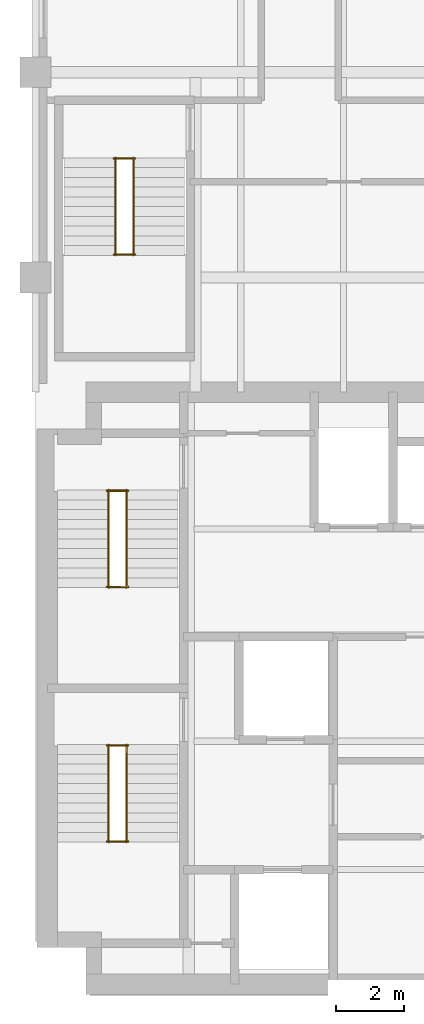
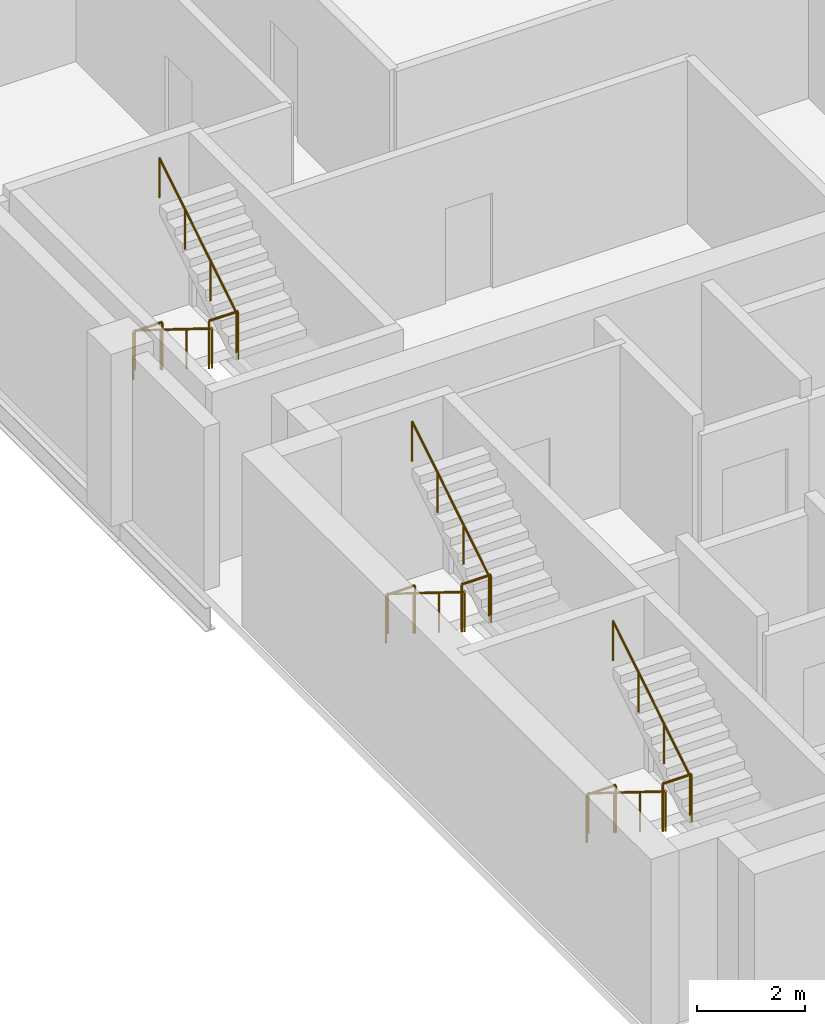
# One storey, part 6 of 6: 12 railings.
"""IFC4 building model written with IfcOpenShell, lengths in metres."""

import ifcopenshell
import ifcopenshell.guid

model = None  # the IFC model being written
_history = None  # IfcOwnerHistory: only IFC2X3 demands one
_inside = {}  # id of a spatial element -> (the spatial element, [elements in it])
_under = {}  # id of a project, library or spatial element -> (it, [spatial elements below it])
_declared = {}  # id of a project -> (the project, [libraries it declares])
_typed = {}  # id of a type object -> (the type object, [elements of that type])
_made_of = {}  # id of a material, layer set ... -> (it, [elements and type objects made of it])


def new_model(schema):
    """Start an empty IFC model of exactly this schema.

    Asked for "IFC4X3", IfcOpenShell would pick the latest addendum, in which some entities
    have other attributes; the version numbers below select the first issue.
    IFC2X3 requires an IfcOwnerHistory on every rooted entity: one is made here for all.
    """
    global model, _history
    if schema == "IFC4X3":
        model = ifcopenshell.file(schema_version=(4, 3, 0, 0))
    else:
        model = ifcopenshell.file(schema=schema)
    _inside.clear()
    _under.clear()
    _declared.clear()
    _typed.clear()
    _made_of.clear()
    _history = None
    if model.schema == "IFC2X3":
        org = make("IfcOrganization", Name="unknown")
        user = make(
            "IfcPersonAndOrganization",
            ThePerson=make("IfcPerson", FamilyName="unknown"),
            TheOrganization=org,
        )
        app = make(
            "IfcApplication",
            ApplicationDeveloper=org,
            Version="unknown",
            ApplicationFullName="unknown",
            ApplicationIdentifier="unknown",
        )
        _history = make(
            "IfcOwnerHistory",
            OwningUser=user,
            OwningApplication=app,
            ChangeAction="ADDED",
            CreationDate=0,
        )
    return model


def make(cls, **values):
    """One entity of the class cls with the attributes given. An attribute that is None is left unset."""
    return model.create_entity(
        cls, **{name: value for name, value in values.items() if value is not None}
    )


def rooted(cls, **values):
    """An entity with a GlobalId (a new one), such as an element, a storey or a relation."""
    return make(cls, GlobalId=ifcopenshell.guid.new(), OwnerHistory=_history, **values)


def si_unit(unit_type, name, prefix=None):
    """IfcSIUnit, for example si_unit("LENGTHUNIT", "METRE", prefix="MILLI")."""
    return make("IfcSIUnit", UnitType=unit_type, Prefix=prefix, Name=name)


def assignment(units):
    """IfcUnitAssignment: the units of a project."""
    return None if units is None else make("IfcUnitAssignment", Units=units)


def point(xyz):
    """IfcCartesianPoint."""
    return None if xyz is None else make("IfcCartesianPoint", Coordinates=xyz)


def direction(xyz):
    """IfcDirection."""
    return None if xyz is None else make("IfcDirection", DirectionRatios=xyz)


def frame(location, z_axis=None, x_axis=None):
    """IfcAxis2Placement3D, a coordinate frame: its origin and axes. An axis left out is left unset."""
    return make(
        "IfcAxis2Placement3D",
        Location=point(location),
        Axis=direction(z_axis),
        RefDirection=direction(x_axis),
    )


def frame_2d(location, x_axis=None):
    """IfcAxis2Placement2D, a coordinate frame in the plane: its origin and x axis."""
    return make(
        "IfcAxis2Placement2D", Location=point(location), RefDirection=direction(x_axis)
    )


def origin():
    """The frame at (0, 0, 0) with its axes left unset."""
    return frame((0.0, 0.0, 0.0))


def origin_2d():
    """The frame at (0, 0) in the plane with its x axis left unset."""
    return frame_2d((0.0, 0.0))


def place(relative_to, where):
    """IfcLocalPlacement: puts the frame where relative to a parent placement (None: the world)."""
    return make(
        "IfcLocalPlacement", PlacementRelTo=relative_to, RelativePlacement=where
    )


def context(
    kind, dimensions, precision=None, world=None, true_north=None, identifier=None
):
    """IfcGeometricRepresentationContext, for example the 3D "Model" context."""
    return make(
        "IfcGeometricRepresentationContext",
        ContextIdentifier=identifier,
        ContextType=kind,
        CoordinateSpaceDimension=dimensions,
        Precision=precision,
        WorldCoordinateSystem=world,
        TrueNorth=true_north,
    )


def subcontext(parent, identifier, kind, view, scale=None):
    """IfcGeometricRepresentationSubContext, for example "Body" below "Model"."""
    return make(
        "IfcGeometricRepresentationSubContext",
        ContextIdentifier=identifier,
        ContextType=kind,
        ParentContext=parent,
        TargetScale=scale,
        TargetView=view,
    )


def project(units=None, contexts=None):
    """IfcProject with its units and contexts."""
    return rooted(
        "IfcProject",
        Name="project",
        RepresentationContexts=contexts,
        UnitsInContext=assignment(units),
    )


def spatial(cls, under=None, at=None, **own):
    """A site, building, storey or space (cls), placed at a placement, below another one or the project."""
    s = rooted(cls, ObjectPlacement=at, **own)
    if under is not None:
        _under.setdefault(under.id(), (under, []))[1].append(s)
    return s


def profile(cls, at=None, kind="AREA", **sizes):
    """A parametric profile (cls). Its sizes go by their IFC names, for example OverallWidth=200.0."""
    return make(cls, ProfileType=kind, Position=at, **sizes)


def circle(**sizes):
    """IfcCircleProfileDef."""
    return profile("IfcCircleProfileDef", **sizes)


def extrude(swept, where, along, depth):
    """IfcExtrudedAreaSolid: the profile swept, set in the frame where, extruded along a direction by depth."""
    return make(
        "IfcExtrudedAreaSolid",
        SweptArea=swept,
        Position=where,
        ExtrudedDirection=direction(along),
        Depth=depth,
    )


def shape(context_of_items, identifier, shape_type, items):
    """IfcShapeRepresentation: the items that make up one representation, for example the "Body"."""
    return make(
        "IfcShapeRepresentation",
        ContextOfItems=context_of_items,
        RepresentationIdentifier=identifier,
        RepresentationType=shape_type,
        Items=items,
    )


def material(Name=None, Category=None):
    """IfcMaterial."""
    return make("IfcMaterial", Name=Name, Category=Category)


def made_of(thing, what):
    """Note that an element or type object is made of a material, layer set ...; save() writes the relation."""
    if what is not None:
        _made_of.setdefault(what.id(), (what, []))[1].append(thing)
    return thing


def type_object(cls, material=None, **own):
    """A type object (cls), such as IfcWallType, which elements share."""
    return made_of(rooted(cls, **own), material)


def element(
    cls,
    number,
    at=None,
    inside=None,
    cuts=None,
    type_object=None,
    material=None,
    context=None,
    identifier="Body",
    shape_type=None,
    held_by="IfcProductDefinitionShape",
    body=None,
    shapes=None,
    **own,
):
    """One element of the class cls, such as IfcWall. Its Tag is "e" and its number.

    at: its placement. inside: the storey or other place that contains it. cuts: it is an
    opening in that element (IfcRelVoidsElement). A single representation is given by context,
    identifier, shape_type and body (its items); several are given by shapes. held_by: the class
    of the entity that holds the representations. save() writes the other relations.
    """
    e = rooted(cls, Tag="e%d" % number, ObjectPlacement=at, **own)
    if body is not None:
        shapes = [shape(context, identifier, shape_type, body)]
    if shapes is not None:
        e.Representation = make(held_by, Representations=shapes)
    if inside is not None:
        _inside.setdefault(inside.id(), (inside, []))[1].append(e)
    if cuts is not None:
        rooted(
            "IfcRelVoidsElement", RelatingBuildingElement=cuts, RelatedOpeningElement=e
        )
    if type_object is not None:
        _typed.setdefault(type_object.id(), (type_object, []))[1].append(e)
    return made_of(e, material)


def aggregate(whole, parts):
    """IfcRelAggregates: a whole, such as a stair, and the parts it consists of."""
    return rooted("IfcRelAggregates", RelatingObject=whole, RelatedObjects=parts)


def save(model, path):
    """Write the relations noted so far, then the file.

    IfcRelAggregates (storeys below a building ...), IfcRelContainedInSpatialStructure (elements
    in a storey), IfcRelDefinesByType, IfcRelAssociatesMaterial and IfcRelDeclares: one each for
    every whole, place, type object, material and project.
    """
    for whole, parts in _under.values():
        aggregate(whole, parts)
    for where, things in _inside.values():
        rooted(
            "IfcRelContainedInSpatialStructure",
            RelatedElements=things,
            RelatingStructure=where,
        )
    for kind, things in _typed.values():
        rooted("IfcRelDefinesByType", RelatedObjects=things, RelatingType=kind)
    for what, things in _made_of.values():
        rooted("IfcRelAssociatesMaterial", RelatedObjects=things, RelatingMaterial=what)
    for by, libraries in _declared.values():
        rooted("IfcRelDeclares", RelatingContext=by, RelatedDefinitions=libraries)
    model.write(path)


model = new_model("IFC4")

# Units and contexts
model_context = context("Model", 3, precision=1e-05, world=origin(), true_north=direction((0.0, 1.0)))
body_context = subcontext(model_context, "Body", "Model", "MODEL_VIEW")
ifc_project = project(units=[si_unit("LENGTHUNIT", "METRE"), si_unit("AREAUNIT", "SQUARE_METRE"), si_unit("VOLUMEUNIT", "CUBIC_METRE"), si_unit("PLANEANGLEUNIT", "RADIAN"), si_unit("MASSUNIT", "GRAM", prefix="KILO")], contexts=[model_context])

# Site, building, storey
site_placement = place(None, origin())
site = spatial("IfcSite", under=ifc_project, at=site_placement, CompositionType="ELEMENT")
building_placement = place(site_placement, origin())
building = spatial("IfcBuilding", under=site, at=building_placement, Name="Mawjdan Bourse Tower", CompositionType="ELEMENT")
storey_placement = place(building_placement, frame((0.0, 0.0, 180.0)))
storey = spatial("IfcBuildingStorey", under=building, at=storey_placement, Name="L43", CompositionType="ELEMENT", Elevation=180.0)

# Railings
ifc_material_1 = material(Name="Structural Steel S355", Category="steel")
railing_type_1 = type_object("IfcRailingType", Name="RLG-GRD-1100", PredefinedType="GUARDRAIL", material=ifc_material_1)
for number, where, name in (
    (1, (8.090087890625, 7.52001953125, 1.949951171875), "L43 ST1 Landing Guardrail GL-MID"),
    (2, (8.090087890625, 10.330078125, 0.0), "L43 ST1 Landing Guardrail GL-BOT"),
    (3, (8.090087890625, 14.9599609375, 1.949951171875), "L43 ST2 Landing Guardrail GL-MID"),
    (4, (8.090087890625, 17.77001953125, 0.0), "L43 ST2 Landing Guardrail GL-BOT"),
    (5, (8.2900390625, 24.669921875, 1.949951171875), "L43 ST3 Landing Guardrail GL-MID"),
    (6, (8.2900390625, 27.47998046875, 0.0), "L43 ST3 Landing Guardrail GL-BOT"),
):
    element("IfcRailing", number, at=place(storey_placement, frame(where)), inside=storey, type_object=railing_type_1, Name=name, PredefinedType="GUARDRAIL", context=body_context, shape_type="SweptSolid", body=[
        extrude(circle(Radius=0.02490234375, at=origin_2d()), frame((0.0, 0.0, 1.0751953125), z_axis=(1.0, 0.0, 0.0), x_axis=(0.0, 1.0, 0.0)), (0.0, 0.0, 1.0), 0.619873046875),
        extrude(circle(Radius=0.02099609375, at=origin_2d()), origin(), (0.0, 0.0, 1.0), 1.050048828125),
        extrude(circle(Radius=0.02099609375, at=origin_2d()), frame((0.619873046875, 0.0, 0.0)), (0.0, 0.0, 1.0), 1.050048828125),
    ])
ifc_material_2 = material(Name="Brushed Stainless Steel", Category="steel")
railing_type_2 = type_object("IfcRailingType", Name="RLG-HND-920", PredefinedType="HANDRAIL", material=ifc_material_2)
railing_1_placement = place(storey_placement, frame((8.139892578125, 10.35009765625, 0.17724609375)))
element("IfcRailing", 7, at=railing_1_placement, inside=storey, type_object=railing_type_2, Name="L43 ST1 Flight Handrail HR1", PredefinedType="HANDRAIL", context=body_context, shape_type="SweptSolid", body=[
    extrude(circle(Radius=0.0224609375, at=origin_2d()), frame((0.0, 0.0, 0.8974609375), z_axis=(0.0, -0.849148672731, 0.528153890072), x_axis=(1.0, 0.0, 0.0)), (0.0, 0.0, 1.0), 3.3564453125),
    extrude(circle(Radius=0.01904296875, at=origin_2d()), origin(), (0.0, 0.0, 1.0), 0.875),
    extrude(circle(Radius=0.01904296875, at=origin_2d()), frame((0.0, -0.949951171875, 0.5908203125)), (0.0, 0.0, 1.0), 0.875),
    extrude(circle(Radius=0.01904296875, at=origin_2d()), frame((0.0, -1.900146484375, 1.181884765625)), (0.0, 0.0, 1.0), 0.875),
    extrude(circle(Radius=0.01904296875, at=origin_2d()), frame((0.0, -2.85009765625, 1.772705078125)), (0.0, 0.0, 1.0), 0.875),
])
railing_2_placement = place(storey_placement, frame((8.659912109375, 7.5, 2.127197265625)))
element("IfcRailing", 8, at=railing_2_placement, inside=storey, type_object=railing_type_2, Name="L43 ST1 Flight Handrail HR2", PredefinedType="HANDRAIL", context=body_context, shape_type="SweptSolid", body=[
    extrude(circle(Radius=0.0224609375, at=origin_2d()), frame((0.0, 0.0, 0.8974609375), z_axis=(0.0, 0.849148672731, 0.528153890072), x_axis=(-1.0, 0.0, 0.0)), (0.0, 0.0, 1.0), 3.3564453125),
    extrude(circle(Radius=0.01904296875, at=origin_2d()), origin(), (0.0, 0.0, 1.0), 0.875),
    extrude(circle(Radius=0.01904296875, at=origin_2d()), frame((0.0, 0.949951171875, 0.5908203125)), (0.0, 0.0, 1.0), 0.875),
    extrude(circle(Radius=0.01904296875, at=origin_2d()), frame((0.0, 1.900146484375, 1.181884765625)), (0.0, 0.0, 1.0), 0.875),
    extrude(circle(Radius=0.01904296875, at=origin_2d()), frame((0.0, 2.85009765625, 1.772705078125)), (0.0, 0.0, 1.0), 0.875),
])
railing_3_placement = place(storey_placement, frame((8.139892578125, 17.7900390625, 0.17724609375)))
element("IfcRailing", 9, at=railing_3_placement, inside=storey, type_object=railing_type_2, Name="L43 ST2 Flight Handrail HR1", PredefinedType="HANDRAIL", context=body_context, shape_type="SweptSolid", body=[
    extrude(circle(Radius=0.0224609375, at=origin_2d()), frame((0.0, 0.0, 0.8974609375), z_axis=(0.0, -0.849148672731, 0.528153890072), x_axis=(1.0, 0.0, 0.0)), (0.0, 0.0, 1.0), 3.3564453125),
    extrude(circle(Radius=0.01904296875, at=origin_2d()), origin(), (0.0, 0.0, 1.0), 0.875),
    extrude(circle(Radius=0.01904296875, at=origin_2d()), frame((0.0, -0.949951171875, 0.5908203125)), (0.0, 0.0, 1.0), 0.875),
    extrude(circle(Radius=0.01904296875, at=origin_2d()), frame((0.0, -1.900146484375, 1.181884765625)), (0.0, 0.0, 1.0), 0.875),
    extrude(circle(Radius=0.01904296875, at=origin_2d()), frame((0.0, -2.85009765625, 1.772705078125)), (0.0, 0.0, 1.0), 0.875),
])
railing_4_placement = place(storey_placement, frame((8.659912109375, 14.93994140625, 2.127197265625)))
element("IfcRailing", 10, at=railing_4_placement, inside=storey, type_object=railing_type_2, Name="L43 ST2 Flight Handrail HR2", PredefinedType="HANDRAIL", context=body_context, shape_type="SweptSolid", body=[
    extrude(circle(Radius=0.0224609375, at=origin_2d()), frame((0.0, 0.0, 0.8974609375), z_axis=(0.0, 0.849148672731, 0.528153890072), x_axis=(-1.0, 0.0, 0.0)), (0.0, 0.0, 1.0), 3.3564453125),
    extrude(circle(Radius=0.01904296875, at=origin_2d()), origin(), (0.0, 0.0, 1.0), 0.875),
    extrude(circle(Radius=0.01904296875, at=origin_2d()), frame((0.0, 0.949951171875, 0.5908203125)), (0.0, 0.0, 1.0), 0.875),
    extrude(circle(Radius=0.01904296875, at=origin_2d()), frame((0.0, 1.900146484375, 1.181884765625)), (0.0, 0.0, 1.0), 0.875),
    extrude(circle(Radius=0.01904296875, at=origin_2d()), frame((0.0, 2.85009765625, 1.772705078125)), (0.0, 0.0, 1.0), 0.875),
])
railing_5_placement = place(storey_placement, frame((8.340087890625, 27.5, 0.17724609375)))
element("IfcRailing", 11, at=railing_5_placement, inside=storey, type_object=railing_type_2, Name="L43 ST3 Flight Handrail HR1", PredefinedType="HANDRAIL", context=body_context, shape_type="SweptSolid", body=[
    extrude(circle(Radius=0.0224609375, at=origin_2d()), frame((0.0, 0.0, 0.8974609375), z_axis=(0.0, -0.849148672731, 0.528153890072), x_axis=(1.0, 0.0, 0.0)), (0.0, 0.0, 1.0), 3.3564453125),
    extrude(circle(Radius=0.01904296875, at=origin_2d()), origin(), (0.0, 0.0, 1.0), 0.875),
    extrude(circle(Radius=0.01904296875, at=origin_2d()), frame((0.0, -0.949951171875, 0.5908203125)), (0.0, 0.0, 1.0), 0.875),
    extrude(circle(Radius=0.01904296875, at=origin_2d()), frame((0.0, -1.900146484375, 1.181884765625)), (0.0, 0.0, 1.0), 0.875),
    extrude(circle(Radius=0.01904296875, at=origin_2d()), frame((0.0, -2.85009765625, 1.772705078125)), (0.0, 0.0, 1.0), 0.875),
])
railing_6_placement = place(storey_placement, frame((8.860107421875, 24.64990234375, 2.127197265625)))
element("IfcRailing", 12, at=railing_6_placement, inside=storey, type_object=railing_type_2, Name="L43 ST3 Flight Handrail HR2", PredefinedType="HANDRAIL", context=body_context, shape_type="SweptSolid", body=[
    extrude(circle(Radius=0.0224609375, at=origin_2d()), frame((0.0, 0.0, 0.8974609375), z_axis=(0.0, 0.849148672731, 0.528153890072), x_axis=(-1.0, 0.0, 0.0)), (0.0, 0.0, 1.0), 3.3564453125),
    extrude(circle(Radius=0.01904296875, at=origin_2d()), origin(), (0.0, 0.0, 1.0), 0.875),
    extrude(circle(Radius=0.01904296875, at=origin_2d()), frame((0.0, 0.949951171875, 0.5908203125)), (0.0, 0.0, 1.0), 0.875),
    extrude(circle(Radius=0.01904296875, at=origin_2d()), frame((0.0, 1.900146484375, 1.181884765625)), (0.0, 0.0, 1.0), 0.875),
    extrude(circle(Radius=0.01904296875, at=origin_2d()), frame((0.0, 2.85009765625, 1.772705078125)), (0.0, 0.0, 1.0), 0.875),
])

save(model, "model.ifc")
